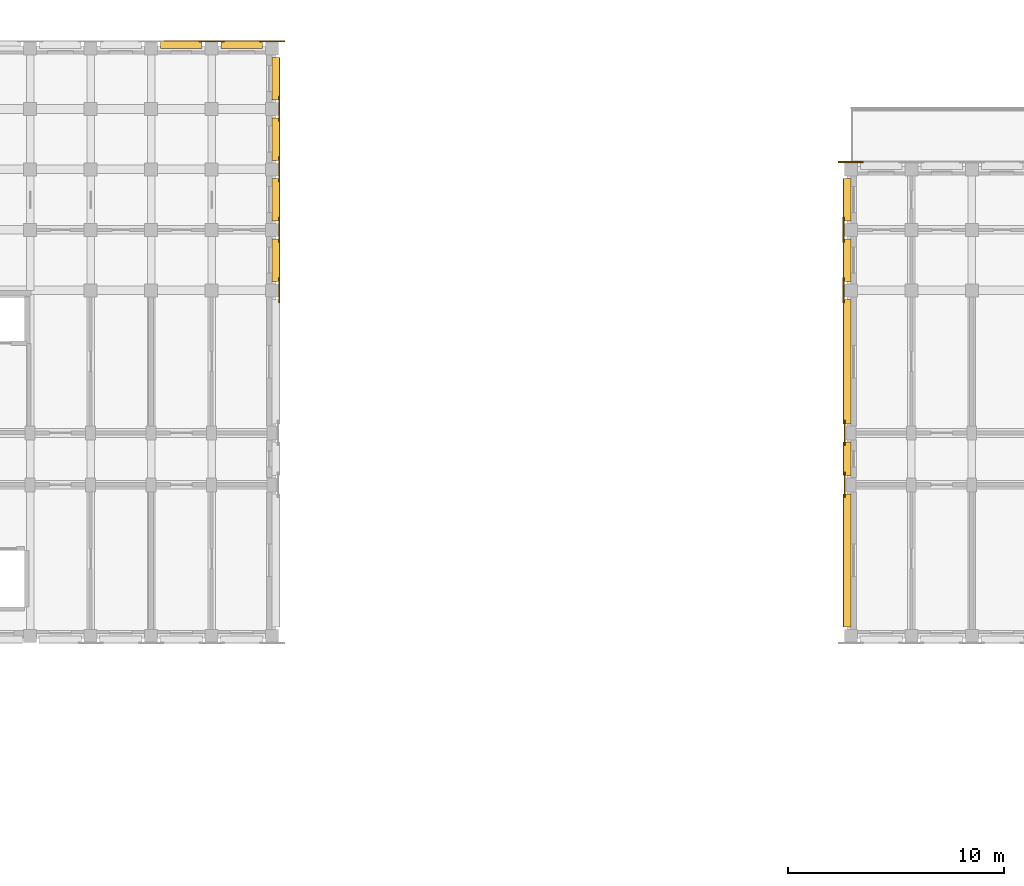
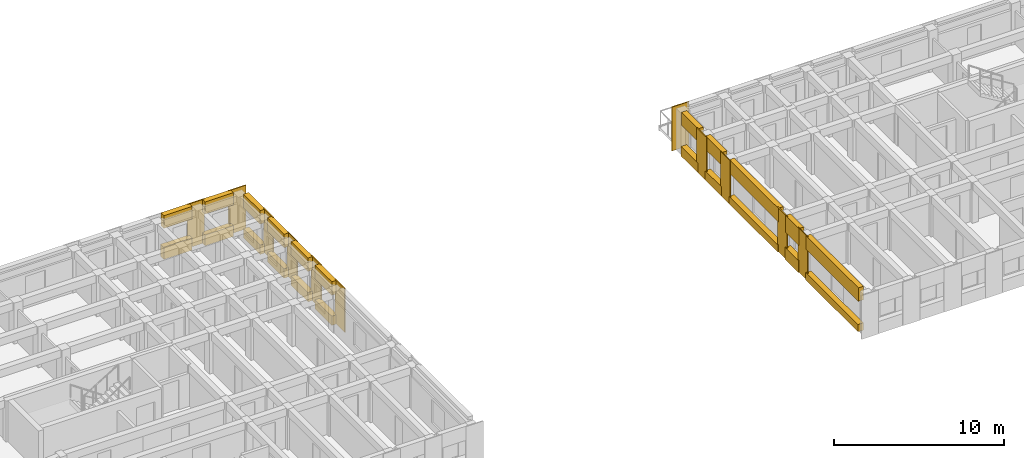
# One storey, part 36 of 41: 33 coverings.
"""IFC4 building model written with IfcOpenShell, lengths in metres."""

from ifc_helpers import new_model, si_unit, direction, frame, origin, place, context, subcontext, project, spatial, polyline, outline, extrude, material, layer, layer_set, type_object, element, save


model = new_model("IFC4")

# Units and contexts
model_context = context("Model", 3, precision=1e-05, world=origin(), true_north=direction((0.0, 1.0)))
body_context = subcontext(model_context, "Body", "Model", "MODEL_VIEW")
ifc_project = project(units=[si_unit("LENGTHUNIT", "METRE"), si_unit("AREAUNIT", "SQUARE_METRE"), si_unit("VOLUMEUNIT", "CUBIC_METRE"), si_unit("PLANEANGLEUNIT", "RADIAN"), si_unit("MASSUNIT", "GRAM", prefix="KILO")], contexts=[model_context])

# Site, building, storey
site_placement = place(None, origin())
site = spatial("IfcSite", under=ifc_project, at=site_placement, CompositionType="ELEMENT")
building_placement = place(site_placement, origin())
building = spatial("IfcBuilding", under=site, at=building_placement, Name="Kiranvali Square Residences", CompositionType="ELEMENT")
storey_placement = place(building_placement, frame((0.0, 0.0, 33.89990234375)))
storey = spatial("IfcBuildingStorey", under=building, at=storey_placement, Name="L10", CompositionType="ELEMENT", Elevation=33.89990234375)

# Coverings
ifc_material = material(Name="Honed Porbandar limestone ashlar facade cladding", Category="masonry")
ifc_layer_1 = layer(ifc_material, 0.054931640625)
ifc_layer_set_1 = layer_set([ifc_layer_1], Name="Honed Porbandar limestone ashlar facade cladding")
covering_type_1 = type_object("IfcCoveringType", Name="COV-CLAD-PIER-UP", PredefinedType="CLADDING", material=ifc_layer_set_1)
covering_1_placement = place(storey_placement, frame((0.0, 0.0, 0.005126953125)))
element("IfcCovering", 1, at=covering_1_placement, inside=storey, type_object=covering_type_1, Name="L10 Classical limestone pilaster casing CLAD-PR-A-L10-U195", PredefinedType="CLADDING", context=body_context, shape_type="SweptSolid", body=[
    extrude(outline(polyline([(67.219970703125, 134.1005859375), (68.3798828125, 134.1005859375), (68.3798828125, 134.16796875), (67.219970703125, 134.16796875), (67.219970703125, 134.1005859375)])), origin(), (0.0, 0.0, 1.0), 3.139892578125),
])
covering_2_placement = place(storey_placement, frame((0.0, 0.0, 0.005126953125)))
element("IfcCovering", 2, at=covering_2_placement, inside=storey, type_object=covering_type_1, Name="L10 Classical limestone pilaster casing CLAD-PR-A-L10-U224", PredefinedType="CLADDING", context=body_context, shape_type="SweptSolid", body=[
    extrude(outline(polyline([(70.02001953125, 134.1005859375), (71.179931640625, 134.1005859375), (71.179931640625, 134.16796875), (70.02001953125, 134.16796875), (70.02001953125, 134.1005859375)])), origin(), (0.0, 0.0, 1.0), 3.139892578125),
])
covering_3_placement = place(storey_placement, frame((0.0, 0.0, 0.005126953125)))
element("IfcCovering", 3, at=covering_3_placement, inside=storey, type_object=covering_type_1, Name="L10 Classical limestone pilaster casing CLAD-PRA1E-A-L10-R348", PredefinedType="CLADDING", context=body_context, shape_type="SweptSolid", body=[
    extrude(outline(polyline([(70.968017578125, 122.02001953125), (70.968017578125, 123.179931640625), (70.900390625, 123.179931640625), (70.900390625, 122.02001953125), (70.968017578125, 122.02001953125)])), origin(), (0.0, 0.0, 1.0), 3.139892578125),
])
covering_4_placement = place(storey_placement, frame((0.0, 0.0, 0.005126953125)))
element("IfcCovering", 4, at=covering_4_placement, inside=storey, type_object=covering_type_1, Name="L10 Classical limestone pilaster casing CLAD-PRA1E-A-L10-R376", PredefinedType="CLADDING", context=body_context, shape_type="SweptSolid", body=[
    extrude(outline(polyline([(70.968017578125, 124.820068359375), (70.968017578125, 125.97998046875), (70.900390625, 125.97998046875), (70.900390625, 124.820068359375), (70.968017578125, 124.820068359375)])), origin(), (0.0, 0.0, 1.0), 3.139892578125),
])
covering_5_placement = place(storey_placement, frame((0.0, 0.0, 0.005126953125)))
element("IfcCovering", 5, at=covering_5_placement, inside=storey, type_object=covering_type_1, Name="L10 Classical limestone pilaster casing CLAD-PRA1E-A-L10-R404", PredefinedType="CLADDING", context=body_context, shape_type="SweptSolid", body=[
    extrude(outline(polyline([(70.968017578125, 127.6201171875), (70.968017578125, 128.780029296875), (70.900390625, 128.780029296875), (70.900390625, 127.6201171875), (70.968017578125, 127.6201171875)])), origin(), (0.0, 0.0, 1.0), 3.139892578125),
])
covering_6_placement = place(storey_placement, frame((0.0, 0.0, 0.005126953125)))
element("IfcCovering", 6, at=covering_6_placement, inside=storey, type_object=covering_type_1, Name="L10 Classical limestone pilaster casing CLAD-PRA1E-A-L10-R432", PredefinedType="CLADDING", context=body_context, shape_type="SweptSolid", body=[
    extrude(outline(polyline([(70.968017578125, 130.419921875), (70.968017578125, 131.580078125), (70.900390625, 131.580078125), (70.900390625, 130.419921875), (70.968017578125, 130.419921875)])), origin(), (0.0, 0.0, 1.0), 3.139892578125),
])
covering_7_placement = place(storey_placement, frame((0.0, 0.0, 0.005126953125)))
element("IfcCovering", 7, at=covering_7_placement, inside=storey, type_object=covering_type_1, Name="L10 Classical limestone pilaster casing CLAD-PR-B-L10-U224", PredefinedType="CLADDING", context=body_context, shape_type="SweptSolid", body=[
    extrude(outline(polyline([(97.97998046875, 128.568115234375), (96.820068359375, 128.568115234375), (96.820068359375, 128.50048828125), (97.97998046875, 128.50048828125), (97.97998046875, 128.568115234375)])), origin(), (0.0, 0.0, 1.0), 3.139892578125),
])
covering_8_placement = place(storey_placement, frame((0.0, 0.0, 0.005126953125)))
element("IfcCovering", 8, at=covering_8_placement, inside=storey, type_object=covering_type_1, Name="L10 Classical limestone pilaster casing CLAD-PRA1E-B-L10-R258", PredefinedType="CLADDING", context=body_context, shape_type="SweptSolid", body=[
    extrude(outline(polyline([(97.1494140625, 113.02001953125), (97.1494140625, 114.179931640625), (97.08203125, 114.179931640625), (97.08203125, 113.02001953125), (97.1494140625, 113.02001953125)])), origin(), (0.0, 0.0, 1.0), 3.139892578125),
])
covering_9_placement = place(storey_placement, frame((0.0, 0.0, 0.005126953125)))
element("IfcCovering", 9, at=covering_9_placement, inside=storey, type_object=covering_type_1, Name="L10 Classical limestone pilaster casing CLAD-PRA1E-B-L10-R282", PredefinedType="CLADDING", context=body_context, shape_type="SweptSolid", body=[
    extrude(outline(polyline([(97.1494140625, 115.419921875), (97.1494140625, 116.580078125), (97.08203125, 116.580078125), (97.08203125, 115.419921875), (97.1494140625, 115.419921875)])), origin(), (0.0, 0.0, 1.0), 3.139892578125),
])
covering_10_placement = place(storey_placement, frame((0.0, 0.0, 0.005126953125)))
element("IfcCovering", 10, at=covering_10_placement, inside=storey, type_object=covering_type_1, Name="L10 Classical limestone pilaster casing CLAD-PRA1E-B-L10-R348", PredefinedType="CLADDING", context=body_context, shape_type="SweptSolid", body=[
    extrude(outline(polyline([(97.099609375, 122.02001953125), (97.099609375, 123.179931640625), (97.031982421875, 123.179931640625), (97.031982421875, 122.02001953125), (97.099609375, 122.02001953125)])), origin(), (0.0, 0.0, 1.0), 3.139892578125),
])
covering_11_placement = place(storey_placement, frame((0.0, 0.0, 0.005126953125)))
element("IfcCovering", 11, at=covering_11_placement, inside=storey, type_object=covering_type_1, Name="L10 Classical limestone pilaster casing CLAD-PRA1E-B-L10-R376", PredefinedType="CLADDING", context=body_context, shape_type="SweptSolid", body=[
    extrude(outline(polyline([(97.099609375, 124.820068359375), (97.099609375, 125.97998046875), (97.031982421875, 125.97998046875), (97.031982421875, 124.820068359375), (97.099609375, 124.820068359375)])), origin(), (0.0, 0.0, 1.0), 3.139892578125),
])
ifc_layer_2 = layer(ifc_material, 0.360107421875)
ifc_layer_set_2 = layer_set([ifc_layer_2], Name="Honed Porbandar limestone ashlar facade cladding")
covering_type_2 = type_object("IfcCoveringType", Name="COV-CLAD-WALL", PredefinedType="CLADDING", material=ifc_layer_set_2)
covering_12_placement = place(storey_placement, frame((0.0, 0.0, 2.22998046875)))
element("IfcCovering", 12, at=covering_12_placement, inside=storey, type_object=covering_type_2, Name="L10 light limestone spandrel lintel A-L10-A1O-4", PredefinedType="CLADDING", context=body_context, shape_type="SweptSolid", body=[
    extrude(outline(polyline([(65.43994140625, 133.800537109375), (67.360107421875, 133.800537109375), (67.360107421875, 134.14990234375), (65.43994140625, 134.14990234375), (65.43994140625, 133.800537109375)])), origin(), (0.0, 0.0, 1.0), 0.9150390625),
])
covering_13_placement = place(storey_placement, frame((0.0, 0.0, 2.272216796875)))
element("IfcCovering", 13, at=covering_13_placement, inside=storey, type_object=covering_type_2, Name="L10 light limestone spandrel lintel A-L10-A1O-5", PredefinedType="CLADDING", context=body_context, shape_type="SweptSolid", body=[
    extrude(outline(polyline([(68.239990234375, 133.800537109375), (70.159912109375, 133.800537109375), (70.159912109375, 134.14990234375), (68.239990234375, 134.14990234375), (68.239990234375, 133.800537109375)])), origin(), (0.0, 0.0, 1.0), 0.872802734375),
])
covering_14_placement = place(storey_placement, frame((0.0, 0.0, 2.172119140625)))
element("IfcCovering", 14, at=covering_14_placement, inside=storey, type_object=covering_type_2, Name="L10 light limestone spandrel lintel A-L10-A1END-3", PredefinedType="CLADDING", context=body_context, shape_type="SweptSolid", body=[
    extrude(outline(polyline([(70.93994140625, 123.02001953125), (70.93994140625, 124.97998046875), (70.6005859375, 124.97998046875), (70.6005859375, 123.02001953125), (70.93994140625, 123.02001953125)])), origin(), (0.0, 0.0, 1.0), 0.972900390625),
])
covering_15_placement = place(storey_placement, frame((0.0, 0.0, 2.172119140625)))
element("IfcCovering", 15, at=covering_15_placement, inside=storey, type_object=covering_type_2, Name="L10 light limestone spandrel lintel A-L10-A1END-4", PredefinedType="CLADDING", context=body_context, shape_type="SweptSolid", body=[
    extrude(outline(polyline([(70.93994140625, 125.820068359375), (70.93994140625, 127.780029296875), (70.6005859375, 127.780029296875), (70.6005859375, 125.820068359375), (70.93994140625, 125.820068359375)])), origin(), (0.0, 0.0, 1.0), 0.972900390625),
])
covering_16_placement = place(storey_placement, frame((0.0, 0.0, 2.172119140625)))
element("IfcCovering", 16, at=covering_16_placement, inside=storey, type_object=covering_type_2, Name="L10 light limestone spandrel lintel A-L10-A1END-5", PredefinedType="CLADDING", context=body_context, shape_type="SweptSolid", body=[
    extrude(outline(polyline([(70.93994140625, 128.6201171875), (70.93994140625, 130.580078125), (70.6005859375, 130.580078125), (70.6005859375, 128.6201171875), (70.93994140625, 128.6201171875)])), origin(), (0.0, 0.0, 1.0), 0.972900390625),
])
covering_17_placement = place(storey_placement, frame((0.0, 0.0, 2.172119140625)))
element("IfcCovering", 17, at=covering_17_placement, inside=storey, type_object=covering_type_2, Name="L10 light limestone spandrel lintel A-L10-A1END-6", PredefinedType="CLADDING", context=body_context, shape_type="SweptSolid", body=[
    extrude(outline(polyline([(70.93994140625, 131.419921875), (70.93994140625, 133.3798828125), (70.6005859375, 133.3798828125), (70.6005859375, 131.419921875), (70.93994140625, 131.419921875)])), origin(), (0.0, 0.0, 1.0), 0.972900390625),
])
covering_18_placement = place(storey_placement, frame((0.0, 0.0, 2.172119140625)))
element("IfcCovering", 18, at=covering_18_placement, inside=storey, type_object=covering_type_2, Name="L10 light limestone spandrel lintel B-L10-A1END-0", PredefinedType="CLADDING", context=body_context, shape_type="SweptSolid", body=[
    extrude(outline(polyline([(97.3994140625, 107.02001953125), (97.3994140625, 113.179931640625), (97.06005859375, 113.179931640625), (97.06005859375, 107.02001953125), (97.3994140625, 107.02001953125)])), origin(), (0.0, 0.0, 1.0), 0.972900390625),
])
covering_19_placement = place(storey_placement, frame((0.0, 0.0, 1.93017578125)))
element("IfcCovering", 19, at=covering_19_placement, inside=storey, type_object=covering_type_2, Name="L10 light limestone spandrel lintel B-L10-A1END-1", PredefinedType="CLADDING", context=body_context, shape_type="SweptSolid", body=[
    extrude(outline(polyline([(97.3994140625, 114.02001953125), (97.3994140625, 115.580078125), (97.06005859375, 115.580078125), (97.06005859375, 114.02001953125), (97.3994140625, 114.02001953125)])), origin(), (0.0, 0.0, 1.0), 1.21484375),
])
covering_20_placement = place(storey_placement, frame((0.0, 0.0, 2.172119140625)))
element("IfcCovering", 20, at=covering_20_placement, inside=storey, type_object=covering_type_2, Name="L10 light limestone spandrel lintel B-L10-A1END-2", PredefinedType="CLADDING", context=body_context, shape_type="SweptSolid", body=[
    extrude(outline(polyline([(97.3994140625, 116.419921875), (97.3994140625, 122.179931640625), (97.06005859375, 122.179931640625), (97.06005859375, 116.419921875), (97.3994140625, 116.419921875)])), origin(), (0.0, 0.0, 1.0), 0.972900390625),
])
covering_21_placement = place(storey_placement, frame((0.0, 0.0, 2.172119140625)))
element("IfcCovering", 21, at=covering_21_placement, inside=storey, type_object=covering_type_2, Name="L10 light limestone spandrel lintel B-L10-A1END-3", PredefinedType="CLADDING", context=body_context, shape_type="SweptSolid", body=[
    extrude(outline(polyline([(97.3994140625, 123.02001953125), (97.3994140625, 124.97998046875), (97.06005859375, 124.97998046875), (97.06005859375, 123.02001953125), (97.3994140625, 123.02001953125)])), origin(), (0.0, 0.0, 1.0), 0.972900390625),
])
covering_22_placement = place(storey_placement, frame((0.0, 0.0, 2.212158203125)))
element("IfcCovering", 22, at=covering_22_placement, inside=storey, type_object=covering_type_2, Name="L10 light limestone spandrel lintel B-L10-A1END-4", PredefinedType="CLADDING", context=body_context, shape_type="SweptSolid", body=[
    extrude(outline(polyline([(97.3994140625, 125.820068359375), (97.3994140625, 127.780029296875), (97.06005859375, 127.780029296875), (97.06005859375, 125.820068359375), (97.3994140625, 125.820068359375)])), origin(), (0.0, 0.0, 1.0), 0.932861328125),
])
ifc_layer_3 = layer(ifc_material, 0.320068359375)
ifc_layer_set_3 = layer_set([ifc_layer_3], Name="Honed Porbandar limestone ashlar facade cladding")
covering_type_3 = type_object("IfcCoveringType", Name="COV-CLAD-WALL-UP", PredefinedType="CLADDING", material=ifc_layer_set_3)
covering_23_placement = place(storey_placement, frame((0.0, 0.0, 0.005126953125)))
element("IfcCovering", 23, at=covering_23_placement, inside=storey, type_object=covering_type_3, Name="L10 limestone window sill apron A-L10-A1O-4", PredefinedType="CLADDING", context=body_context, shape_type="SweptSolid", body=[
    extrude(outline(polyline([(65.43994140625, 133.800537109375), (67.360107421875, 133.800537109375), (67.360107421875, 134.179931640625), (65.43994140625, 134.179931640625), (65.43994140625, 133.800537109375)])), origin(), (0.0, 0.0, 1.0), 0.875),
])
covering_24_placement = place(storey_placement, frame((0.0, 0.0, 0.005126953125)))
element("IfcCovering", 24, at=covering_24_placement, inside=storey, type_object=covering_type_3, Name="L10 limestone window sill apron A-L10-A1O-5", PredefinedType="CLADDING", context=body_context, shape_type="SweptSolid", body=[
    extrude(outline(polyline([(68.239990234375, 133.800537109375), (70.159912109375, 133.800537109375), (70.159912109375, 134.179931640625), (68.239990234375, 134.179931640625), (68.239990234375, 133.800537109375)])), origin(), (0.0, 0.0, 1.0), 0.76708984375),
])
covering_25_placement = place(storey_placement, frame((0.0, 0.0, 0.005126953125)))
element("IfcCovering", 25, at=covering_25_placement, inside=storey, type_object=covering_type_3, Name="L10 limestone window sill apron A-L10-A1END-3", PredefinedType="CLADDING", context=body_context, shape_type="SweptSolid", body=[
    extrude(outline(polyline([(70.969970703125, 123.02001953125), (70.969970703125, 124.97998046875), (70.6005859375, 124.97998046875), (70.6005859375, 123.02001953125), (70.969970703125, 123.02001953125)])), origin(), (0.0, 0.0, 1.0), 0.6669921875),
])
covering_26_placement = place(storey_placement, frame((0.0, 0.0, 0.005126953125)))
element("IfcCovering", 26, at=covering_26_placement, inside=storey, type_object=covering_type_3, Name="L10 limestone window sill apron A-L10-A1END-4", PredefinedType="CLADDING", context=body_context, shape_type="SweptSolid", body=[
    extrude(outline(polyline([(70.969970703125, 125.820068359375), (70.969970703125, 127.780029296875), (70.6005859375, 127.780029296875), (70.6005859375, 125.820068359375), (70.969970703125, 125.820068359375)])), origin(), (0.0, 0.0, 1.0), 0.6669921875),
])
covering_27_placement = place(storey_placement, frame((0.0, 0.0, 0.005126953125)))
element("IfcCovering", 27, at=covering_27_placement, inside=storey, type_object=covering_type_3, Name="L10 limestone window sill apron A-L10-A1END-5", PredefinedType="CLADDING", context=body_context, shape_type="SweptSolid", body=[
    extrude(outline(polyline([(70.969970703125, 128.6201171875), (70.969970703125, 130.580078125), (70.6005859375, 130.580078125), (70.6005859375, 128.6201171875), (70.969970703125, 128.6201171875)])), origin(), (0.0, 0.0, 1.0), 0.6669921875),
])
covering_28_placement = place(storey_placement, frame((0.0, 0.0, 0.005126953125)))
element("IfcCovering", 28, at=covering_28_placement, inside=storey, type_object=covering_type_3, Name="L10 limestone window sill apron A-L10-A1END-6", PredefinedType="CLADDING", context=body_context, shape_type="SweptSolid", body=[
    extrude(outline(polyline([(70.969970703125, 131.419921875), (70.969970703125, 133.3798828125), (70.6005859375, 133.3798828125), (70.6005859375, 131.419921875), (70.969970703125, 131.419921875)])), origin(), (0.0, 0.0, 1.0), 0.6669921875),
])
covering_29_placement = place(storey_placement, frame((0.0, 0.0, 0.005126953125)))
element("IfcCovering", 29, at=covering_29_placement, inside=storey, type_object=covering_type_3, Name="L10 limestone window sill apron B-L10-A1END-0", PredefinedType="CLADDING", context=body_context, shape_type="SweptSolid", body=[
    extrude(outline(polyline([(97.3994140625, 107.02001953125), (97.3994140625, 113.179931640625), (97.030029296875, 113.179931640625), (97.030029296875, 107.02001953125), (97.3994140625, 107.02001953125)])), origin(), (0.0, 0.0, 1.0), 0.51708984375),
])
covering_30_placement = place(storey_placement, frame((0.0, 0.0, 0.005126953125)))
element("IfcCovering", 30, at=covering_30_placement, inside=storey, type_object=covering_type_3, Name="L10 limestone window sill apron B-L10-A1END-1", PredefinedType="CLADDING", context=body_context, shape_type="SweptSolid", body=[
    extrude(outline(polyline([(97.3994140625, 114.02001953125), (97.3994140625, 115.580078125), (97.030029296875, 115.580078125), (97.030029296875, 114.02001953125), (97.3994140625, 114.02001953125)])), origin(), (0.0, 0.0, 1.0), 0.875),
])
covering_31_placement = place(storey_placement, frame((0.0, 0.0, 0.005126953125)))
element("IfcCovering", 31, at=covering_31_placement, inside=storey, type_object=covering_type_3, Name="L10 limestone window sill apron B-L10-A1END-2", PredefinedType="CLADDING", context=body_context, shape_type="SweptSolid", body=[
    extrude(outline(polyline([(97.3994140625, 116.419921875), (97.3994140625, 122.179931640625), (97.030029296875, 122.179931640625), (97.030029296875, 116.419921875), (97.3994140625, 116.419921875)])), origin(), (0.0, 0.0, 1.0), 0.51708984375),
])
covering_32_placement = place(storey_placement, frame((0.0, 0.0, 0.005126953125)))
element("IfcCovering", 32, at=covering_32_placement, inside=storey, type_object=covering_type_3, Name="L10 limestone window sill apron B-L10-A1END-3", PredefinedType="CLADDING", context=body_context, shape_type="SweptSolid", body=[
    extrude(outline(polyline([(97.3994140625, 123.02001953125), (97.3994140625, 124.97998046875), (97.030029296875, 124.97998046875), (97.030029296875, 123.02001953125), (97.3994140625, 123.02001953125)])), origin(), (0.0, 0.0, 1.0), 0.6669921875),
])
covering_33_placement = place(storey_placement, frame((0.0, 0.0, 0.005126953125)))
element("IfcCovering", 33, at=covering_33_placement, inside=storey, type_object=covering_type_3, Name="L10 limestone window sill apron B-L10-A1END-4", PredefinedType="CLADDING", context=body_context, shape_type="SweptSolid", body=[
    extrude(outline(polyline([(97.3994140625, 125.820068359375), (97.3994140625, 127.780029296875), (97.030029296875, 127.780029296875), (97.030029296875, 125.820068359375), (97.3994140625, 125.820068359375)])), origin(), (0.0, 0.0, 1.0), 0.70703125),
])

save(model, "model.ifc")
